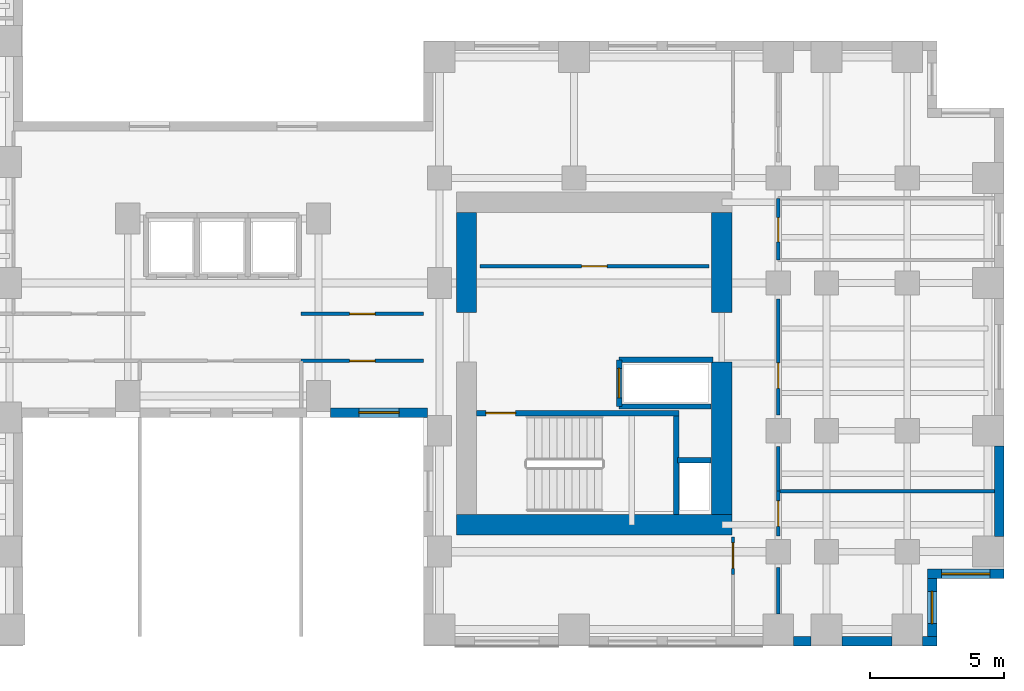
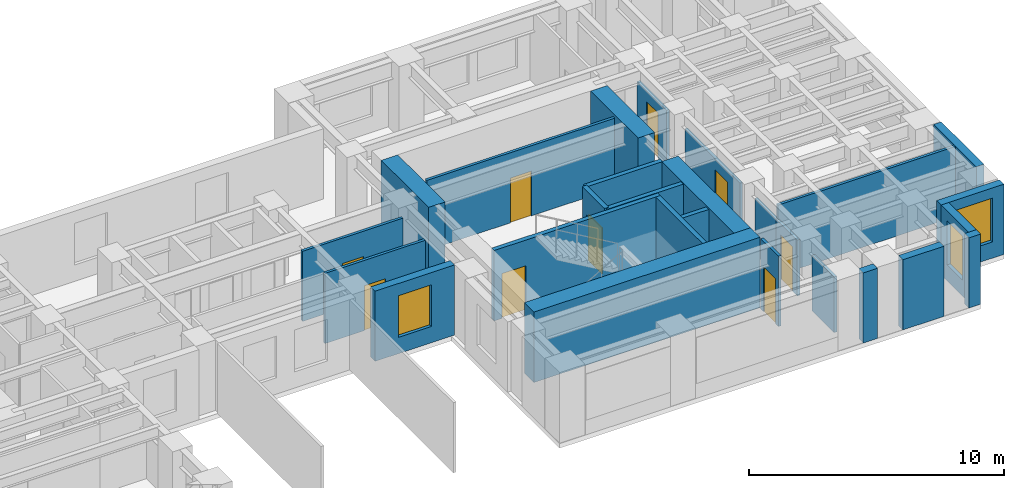
# One storey, part 7 of 11: 27 walls, 9 doors, 3 windows, 12 openings.
"""IFC4 building model written with IfcOpenShell, lengths in metres."""

from ifc_helpers import new_model, si_unit, direction, frame, frame_2d, origin, place, context, subcontext, project, spatial, rectangle, extrude, source, transform, mapped, material, layer, layer_set, type_object, element, fill, save


model = new_model("IFC4")

# Units and contexts
model_context = context("Model", 3, precision=1e-05, world=origin(), true_north=direction((0.0, 1.0)))
body_context = subcontext(model_context, "Body", "Model", "MODEL_VIEW")
ifc_project = project(units=[si_unit("LENGTHUNIT", "METRE"), si_unit("AREAUNIT", "SQUARE_METRE"), si_unit("VOLUMEUNIT", "CUBIC_METRE"), si_unit("PLANEANGLEUNIT", "RADIAN"), si_unit("MASSUNIT", "GRAM", prefix="KILO")], contexts=[model_context])

# Site, building, storey
site_placement = place(None, origin())
site = spatial("IfcSite", under=ifc_project, at=site_placement, CompositionType="ELEMENT")
building_placement = place(site_placement, origin())
building = spatial("IfcBuilding", under=site, at=building_placement, Name="Kharzan Plaza Tower", CompositionType="ELEMENT")
storey_placement = place(building_placement, frame((0.0, 0.0, 113.39990234375)))
storey = spatial("IfcBuildingStorey", under=building, at=storey_placement, Name="L30", CompositionType="ELEMENT", Elevation=113.39990234375)

# Wall, opening, window
ifc_material_1 = material(Name="Concrete C40/50", Category="concrete")
ifc_layer_1 = layer(ifc_material_1, 0.35009765625)
ifc_layer_set_1 = layer_set([ifc_layer_1], Name="Concrete C40/50")
wall_type_1 = type_object("IfcWallType", Name="WL-EXT-MAS-Z2", PredefinedType="SOLIDWALL", material=ifc_layer_set_1)
wall_1_placement = place(storey_placement, frame((30.947998046875, 8.675048828125, 0.0), z_axis=(0.0, 0.0, 1.0), x_axis=(1.0, 0.0, 0.0)))
wall_1 = element("IfcWall", 1, at=wall_1_placement, inside=storey, type_object=wall_type_1, Name="L30 Masonry-Frame Exterior Wall 36", PredefinedType="SOLIDWALL", context=body_context, shape_type="SweptSolid", body=[
    extrude(rectangle(XDim=3.60400390625, YDim=0.35009765625, at=frame_2d((1.802001953125, 0.0))), origin(), (0.0, 0.0, 1.0), 3.364990234375),
])
opening_1_placement = place(wall_1_placement, frame((1.052001953125, 0.0, 0.780029296875)))
opening_1 = element("IfcOpeningElement", 2, at=opening_1_placement, cuts=wall_1, Name="Opening W5", PredefinedType="OPENING", context=body_context, shape_type="SweptSolid", body=[
    extrude(rectangle(XDim=1.5, YDim=2.0, at=frame_2d((0.75, 1.0))), frame((0.0, 0.18505859375, 0.0), z_axis=(0.0, -1.0, 0.0), x_axis=(1.0, 0.0, 0.0)), (0.0, 0.0, 1.0), 0.3701171875),
])
ifc_material_2 = material(Name="Low-E Double Glazing", Category="glass")
window_type_1 = type_object("IfcWindowType", Name="WN-SLT-1500x2000", PartitioningType="SINGLE_PANEL", PredefinedType="WINDOW", material=ifc_material_2)
shared_shape_1 = source(origin(), body_context, "Body", "SweptSolid", [
    extrude(rectangle(XDim=1.5, YDim=2.0, at=frame_2d((0.75, 1.0))), frame((0.0, 0.030029296875, 0.0), z_axis=(0.0, -1.0, 0.0), x_axis=(1.0, 0.0, 0.0)), (0.0, 0.0, 1.0), 0.06005859375),
])
window_1_placement = place(opening_1_placement, origin())
window_1 = element("IfcWindow", 3, at=window_1_placement, inside=storey, type_object=window_type_1, Name="L30 Recessed Solar-Control Window 36-1", OverallHeight=2.0, OverallWidth=1.5, PartitioningType="SINGLE_PANEL", PredefinedType="WINDOW", context=body_context, shape_type="MappedRepresentation", body=[
    mapped(shared_shape_1, transform((0.0, 0.0, 0.0), x_axis=(1.0, 0.0, 0.0), y_axis=(0.0, 1.0, 0.0), z_axis=(0.0, 0.0, 1.0))),
])
fill(opening_1, window_1)

wall_2_placement = place(storey_placement, frame((53.324951171875, 0.347900390625, 0.0), z_axis=(0.0, 0.0, 1.0), x_axis=(0.0, 1.0, 0.0)))
wall_2 = element("IfcWall", 4, at=wall_2_placement, inside=storey, type_object=wall_type_1, Name="L30 Masonry-Frame Exterior Wall 44", PredefinedType="SOLIDWALL", context=body_context, shape_type="SweptSolid", body=[
    extrude(rectangle(XDim=2.154052734375, YDim=0.35009765625, at=frame_2d((1.0771484375, 0.0))), origin(), (0.0, 0.0, 1.0), 3.364990234375),
])
opening_2_placement = place(wall_2_placement, frame((0.47705078125, 0.0, 0.780029296875)))
opening_2 = element("IfcOpeningElement", 5, at=opening_2_placement, cuts=wall_2, Name="Opening W3", PredefinedType="OPENING", context=body_context, shape_type="SweptSolid", body=[
    extrude(rectangle(XDim=1.199951171875, YDim=2.10009765625, at=frame_2d((0.60009765625, 1.050048828125))), frame((0.0, 0.18505859375, 0.0), z_axis=(0.0, -1.0, 0.0), x_axis=(1.0, 0.0, 0.0)), (0.0, 0.0, 1.0), 0.3701171875),
])
window_type_2 = type_object("IfcWindowType", Name="WN-REC-1200x2100", PartitioningType="SINGLE_PANEL", PredefinedType="WINDOW", material=ifc_material_2)
shared_shape_2 = source(origin(), body_context, "Body", "SweptSolid", [
    extrude(rectangle(XDim=1.199951171875, YDim=2.10009765625, at=frame_2d((0.60009765625, 1.050048828125))), frame((0.0, 0.030029296875, 0.0), z_axis=(0.0, -1.0, 0.0), x_axis=(1.0, 0.0, 0.0)), (0.0, 0.0, 1.0), 0.06005859375),
])
window_2_placement = place(opening_2_placement, origin())
window_2 = element("IfcWindow", 6, at=window_2_placement, inside=storey, type_object=window_type_2, Name="L30 Recessed Solar-Control Window 44-1", OverallHeight=2.10009765625, OverallWidth=1.199951171875, PartitioningType="SINGLE_PANEL", PredefinedType="WINDOW", context=body_context, shape_type="MappedRepresentation", body=[
    mapped(shared_shape_2, transform((0.0, 0.0, 0.0), x_axis=(1.0, 0.0, 0.0), y_axis=(0.0, 1.0, 0.0), z_axis=(0.0, 0.0, 1.0))),
])
fill(opening_2, window_2)

wall_3_placement = place(storey_placement, frame((53.14990234375, 2.675048828125, 0.0), z_axis=(0.0, 0.0, 1.0), x_axis=(1.0, 0.0, 0.0)))
wall_3 = element("IfcWall", 7, at=wall_3_placement, inside=storey, type_object=wall_type_1, Name="L30 Masonry-Frame Exterior Wall 45", PredefinedType="SOLIDWALL", context=body_context, shape_type="SweptSolid", body=[
    extrude(rectangle(XDim=2.85009765625, YDim=0.35009765625, at=frame_2d((1.425048828125, 0.0))), origin(), (0.0, 0.0, 1.0), 3.364990234375),
])
opening_3_placement = place(wall_3_placement, frame((0.52490234375, 0.0, 0.780029296875)))
opening_3 = element("IfcOpeningElement", 8, at=opening_3_placement, cuts=wall_3, Name="Opening W1", PredefinedType="OPENING", context=body_context, shape_type="SweptSolid", body=[
    extrude(rectangle(XDim=1.800048828125, YDim=2.10009765625, at=frame_2d((0.89990234375, 1.050048828125))), frame((0.0, 0.18505859375, 0.0), z_axis=(0.0, -1.0, 0.0), x_axis=(1.0, 0.0, 0.0)), (0.0, 0.0, 1.0), 0.3701171875),
])
window_type_3 = type_object("IfcWindowType", Name="WN-REC-1800x2100", PartitioningType="SINGLE_PANEL", PredefinedType="WINDOW", material=ifc_material_2)
shared_shape_3 = source(origin(), body_context, "Body", "SweptSolid", [
    extrude(rectangle(XDim=1.800048828125, YDim=2.10009765625, at=frame_2d((0.89990234375, 1.050048828125))), frame((0.0, 0.030029296875, 0.0), z_axis=(0.0, -1.0, 0.0), x_axis=(1.0, 0.0, 0.0)), (0.0, 0.0, 1.0), 0.06005859375),
])
window_3_placement = place(opening_3_placement, origin())
window_3 = element("IfcWindow", 9, at=window_3_placement, inside=storey, type_object=window_type_3, Name="L30 Recessed Solar-Control Window 45-1", OverallHeight=2.10009765625, OverallWidth=1.800048828125, PartitioningType="SINGLE_PANEL", PredefinedType="WINDOW", context=body_context, shape_type="MappedRepresentation", body=[
    mapped(shared_shape_3, transform((0.0, 0.0, 0.0), x_axis=(1.0, 0.0, 0.0), y_axis=(0.0, 1.0, 0.0), z_axis=(0.0, 0.0, 1.0))),
])
fill(opening_3, window_3)

# Wall, opening, door
ifc_material_3 = material(Name="Fire-Rated Gypsum Board Partition", Category="gypsum")
ifc_layer_2 = layer(ifc_material_3, 0.125)
ifc_layer_set_2 = layer_set([ifc_layer_2], Name="Fire-Rated Gypsum Board Partition")
wall_type_2 = type_object("IfcWallType", Name="WL-INT-PART-125", PredefinedType="PARTITIONING", material=ifc_layer_set_2)
wall_4_placement = place(storey_placement, frame((36.5, 14.1201171875, 0.0), z_axis=(0.0, 0.0, 1.0), x_axis=(1.0, 0.0, 0.0)))
wall_4 = element("IfcWall", 10, at=wall_4_placement, inside=storey, type_object=wall_type_2, Name="L30 Interior Partition CB-RBLS1", PredefinedType="PARTITIONING", context=body_context, shape_type="SweptSolid", body=[
    extrude(rectangle(XDim=8.52001953125, YDim=0.125, at=frame_2d((4.260009765625, 0.0))), origin(), (0.0, 0.0, 1.0), 3.364990234375),
])
opening_4_placement = place(wall_4_placement, frame((3.784912109375, 0.0, 0.0)))
opening_4 = element("IfcOpeningElement", 11, at=opening_4_placement, cuts=wall_4, Name="Opening OD1", PredefinedType="OPENING", context=body_context, shape_type="SweptSolid", body=[
    extrude(rectangle(XDim=0.949951171875, YDim=2.14990234375, at=frame_2d((0.47509765625, 1.074951171875))), frame((0.0, 0.072509765625, 0.0), z_axis=(0.0, -1.0, 0.0), x_axis=(1.0, 0.0, 0.0)), (0.0, 0.0, 1.0), 0.14501953125),
])
ifc_material_4 = material(Name="Acoustic Solid-Core Stained Oak", Category="timber")
door_type_1 = type_object("IfcDoorType", Name="DR-OFF-SINGLE", OperationType="NOTDEFINED", PredefinedType="DOOR", material=ifc_material_4)
shared_shape_4 = source(origin(), body_context, "Body", "SweptSolid", [
    extrude(rectangle(XDim=0.949951171875, YDim=2.14990234375, at=frame_2d((0.47509765625, 1.074951171875))), frame((0.0, 0.02490234375, 0.0), z_axis=(0.0, -1.0, 0.0), x_axis=(1.0, 0.0, 0.0)), (0.0, 0.0, 1.0), 0.050048828125),
])
door_1_placement = place(opening_4_placement, origin())
door_1 = element("IfcDoor", 12, at=door_1_placement, inside=storey, type_object=door_type_1, Name="L30 Mail Room Door", OperationType="SINGLE_SWING_LEFT", OverallHeight=2.14990234375, OverallWidth=0.949951171875, PredefinedType="DOOR", context=body_context, shape_type="MappedRepresentation", body=[
    mapped(shared_shape_4, transform((0.0, 0.0, 0.0), x_axis=(1.0, 0.0, 0.0), y_axis=(0.0, 1.0, 0.0), z_axis=(0.0, 0.0, 1.0))),
])
fill(opening_4, door_1)

wall_5_placement = place(storey_placement, frame((47.60009765625, 4.090087890625, 0.0), z_axis=(0.0, 0.0, 1.0), x_axis=(0.0, 1.0, 0.0)))
wall_5 = element("IfcWall", 13, at=wall_5_placement, inside=storey, type_object=wall_type_2, Name="L30 Interior Partition SH-B3W0", PredefinedType="PARTITIONING", context=body_context, shape_type="SweptSolid", body=[
    extrude(rectangle(XDim=1.659912109375, YDim=0.125, at=frame_2d((0.830078125, 0.0))), origin(), (0.0, 0.0, 1.0), 2.677001953125),
])
opening_5_placement = place(wall_5_placement, frame((0.35498046875, 0.0, 0.0)))
opening_5 = element("IfcOpeningElement", 14, at=opening_5_placement, cuts=wall_5, Name="Opening OD1", PredefinedType="OPENING", context=body_context, shape_type="SweptSolid", body=[
    extrude(rectangle(XDim=0.949951171875, YDim=2.14990234375, at=frame_2d((0.47509765625, 1.074951171875))), frame((0.0, 0.072509765625, 0.0), z_axis=(0.0, -1.0, 0.0), x_axis=(1.0, 0.0, 0.0)), (0.0, 0.0, 1.0), 0.14501953125),
])
door_2_placement = place(opening_5_placement, origin())
door_2 = element("IfcDoor", 15, at=door_2_placement, inside=storey, type_object=door_type_1, Name="L30 Wing B Office 1 Door", OperationType="SINGLE_SWING_RIGHT", OverallHeight=2.14990234375, OverallWidth=0.949951171875, PredefinedType="DOOR", context=body_context, shape_type="MappedRepresentation", body=[
    mapped(shared_shape_4, transform((0.0, 0.0, 0.0), x_axis=(1.0, 0.0, 0.0), y_axis=(0.0, 1.0, 0.0), z_axis=(0.0, 0.0, 1.0))),
])
fill(opening_5, door_2)

wall_6_placement = place(storey_placement, frame((47.60009765625, 8.590087890625, 0.0), z_axis=(0.0, 0.0, 1.0), x_axis=(0.0, 1.0, 0.0)))
wall_6 = element("IfcWall", 16, at=wall_6_placement, inside=storey, type_object=wall_type_2, Name="L30 Interior Partition SH-B3W1-S2", PredefinedType="PARTITIONING", context=body_context, shape_type="SweptSolid", body=[
    extrude(rectangle(XDim=4.31982421875, YDim=0.125, at=frame_2d((2.159912109375, 0.0))), origin(), (0.0, 0.0, 1.0), 2.677001953125),
])
opening_6_placement = place(wall_6_placement, frame((0.985107421875, 0.0, 0.0)))
opening_6 = element("IfcOpeningElement", 17, at=opening_6_placement, cuts=wall_6, Name="Opening OD1", PredefinedType="OPENING", context=body_context, shape_type="SweptSolid", body=[
    extrude(rectangle(XDim=0.949951171875, YDim=2.14990234375, at=frame_2d((0.47509765625, 1.074951171875))), frame((0.0, 0.072509765625, 0.0), z_axis=(0.0, -1.0, 0.0), x_axis=(1.0, 0.0, 0.0)), (0.0, 0.0, 1.0), 0.14501953125),
])
door_3_placement = place(opening_6_placement, origin())
door_3 = element("IfcDoor", 18, at=door_3_placement, inside=storey, type_object=door_type_1, Name="L30 Wing B Office 2 Door", OperationType="SINGLE_SWING_RIGHT", OverallHeight=2.14990234375, OverallWidth=0.949951171875, PredefinedType="DOOR", context=body_context, shape_type="MappedRepresentation", body=[
    mapped(shared_shape_4, transform((0.0, 0.0, 0.0), x_axis=(1.0, 0.0, 0.0), y_axis=(0.0, 1.0, 0.0), z_axis=(0.0, 0.0, 1.0))),
])
fill(opening_6, door_3)

wall_7_placement = place(storey_placement, frame((47.60009765625, 14.35009765625, 0.0), z_axis=(0.0, 0.0, 1.0), x_axis=(0.0, 1.0, 0.0)))
wall_7 = element("IfcWall", 19, at=wall_7_placement, inside=storey, type_object=wall_type_2, Name="L30 Interior Partition SH-B3WC", PredefinedType="PARTITIONING", context=body_context, shape_type="SweptSolid", body=[
    extrude(rectangle(XDim=2.2998046875, YDim=0.125, at=frame_2d((1.14990234375, 0.0))), origin(), (0.0, 0.0, 1.0), 2.677001953125),
])
opening_7_placement = place(wall_7_placement, frame((0.675048828125, 0.0, 0.0)))
opening_7 = element("IfcOpeningElement", 20, at=opening_7_placement, cuts=wall_7, Name="Opening WD1", PredefinedType="OPENING", context=body_context, shape_type="SweptSolid", body=[
    extrude(rectangle(XDim=0.89990234375, YDim=2.14990234375, at=frame_2d((0.449951171875, 1.074951171875))), frame((0.0, 0.072509765625, 0.0), z_axis=(0.0, -1.0, 0.0), x_axis=(1.0, 0.0, 0.0)), (0.0, 0.0, 1.0), 0.14501953125),
])
ifc_material_5 = material(Name="Moisture-Resistant Fire-Rated Laminate", Category="timber")
door_type_2 = type_object("IfcDoorType", Name="DR-WC-900", OperationType="NOTDEFINED", PredefinedType="DOOR", material=ifc_material_5)
shared_shape_5 = source(origin(), body_context, "Body", "SweptSolid", [
    extrude(rectangle(XDim=0.89990234375, YDim=2.14990234375, at=frame_2d((0.449951171875, 1.074951171875))), frame((0.0, 0.02490234375, 0.0), z_axis=(0.0, -1.0, 0.0), x_axis=(1.0, 0.0, 0.0)), (0.0, 0.0, 1.0), 0.050048828125),
])
door_4_placement = place(opening_7_placement, origin())
door_4 = element("IfcDoor", 21, at=door_4_placement, inside=storey, type_object=door_type_2, Name="L30 Wing B Washroom Door", OperationType="SINGLE_SWING_RIGHT", OverallHeight=2.14990234375, OverallWidth=0.89990234375, PredefinedType="DOOR", context=body_context, shape_type="MappedRepresentation", body=[
    mapped(shared_shape_5, transform((0.0, 0.0, 0.0), x_axis=(1.0, 0.0, 0.0), y_axis=(0.0, 1.0, 0.0), z_axis=(0.0, 0.0, 1.0))),
])
fill(opening_7, door_4)

wall_8_placement = place(storey_placement, frame((45.919921875, 2.64990234375, 0.0), z_axis=(0.0, 0.0, 1.0), x_axis=(0.0, 1.0, 0.0)))
wall_8 = element("IfcWall", 22, at=wall_8_placement, inside=storey, type_object=wall_type_2, Name="L30 Interior Partition SH-RBSE", PredefinedType="PARTITIONING", context=body_context, shape_type="SweptSolid", body=[
    extrude(rectangle(XDim=1.400146484375, YDim=0.125, at=frame_2d((0.7001953125, 0.0))), origin(), (0.0, 0.0, 1.0), 3.364990234375),
])
opening_8_placement = place(wall_8_placement, frame((0.22509765625, 0.0, 0.0)))
opening_8 = element("IfcOpeningElement", 23, at=opening_8_placement, cuts=wall_8, Name="Opening OD1", PredefinedType="OPENING", context=body_context, shape_type="SweptSolid", body=[
    extrude(rectangle(XDim=0.949951171875, YDim=2.14990234375, at=frame_2d((0.47509765625, 1.074951171875))), frame((0.0, 0.072509765625, 0.0), z_axis=(0.0, -1.0, 0.0), x_axis=(1.0, 0.0, 0.0)), (0.0, 0.0, 1.0), 0.14501953125),
])
door_5_placement = place(opening_8_placement, origin())
door_5 = element("IfcDoor", 24, at=door_5_placement, inside=storey, type_object=door_type_1, Name="L30 South-East Corner Office Door", OperationType="SINGLE_SWING_RIGHT", OverallHeight=2.14990234375, OverallWidth=0.949951171875, PredefinedType="DOOR", context=body_context, shape_type="MappedRepresentation", body=[
    mapped(shared_shape_4, transform((0.0, 0.0, 0.0), x_axis=(1.0, 0.0, 0.0), y_axis=(0.0, 1.0, 0.0), z_axis=(0.0, 0.0, 1.0))),
])
fill(opening_8, door_5)

wall_9_placement = place(storey_placement, frame((29.85009765625, 12.35009765625, 0.0), z_axis=(0.0, 0.0, 1.0), x_axis=(1.0, 0.0, 0.0)))
wall_9 = element("IfcWall", 25, at=wall_9_placement, inside=storey, type_object=wall_type_2, Name="L30 Interior Partition SH-SPNE1", PredefinedType="PARTITIONING", context=body_context, shape_type="SweptSolid", body=[
    extrude(rectangle(XDim=4.5498046875, YDim=0.125, at=frame_2d((2.27490234375, 0.0))), origin(), (0.0, 0.0, 1.0), 3.364990234375),
])
opening_9_placement = place(wall_9_placement, frame((1.800048828125, 0.0, 0.0)))
opening_9 = element("IfcOpeningElement", 26, at=opening_9_placement, cuts=wall_9, Name="Opening OD1", PredefinedType="OPENING", context=body_context, shape_type="SweptSolid", body=[
    extrude(rectangle(XDim=0.949951171875, YDim=2.14990234375, at=frame_2d((0.47509765625, 1.074951171875))), frame((0.0, 0.072509765625, 0.0), z_axis=(0.0, -1.0, 0.0), x_axis=(1.0, 0.0, 0.0)), (0.0, 0.0, 1.0), 0.14501953125),
])
door_6_placement = place(opening_9_placement, origin())
door_6 = element("IfcDoor", 27, at=door_6_placement, inside=storey, type_object=door_type_1, Name="L30 North-East Spine Door", OperationType="SINGLE_SWING_LEFT", OverallHeight=2.14990234375, OverallWidth=0.949951171875, PredefinedType="DOOR", context=body_context, shape_type="MappedRepresentation", body=[
    mapped(shared_shape_4, transform((0.0, 0.0, 0.0), x_axis=(1.0, 0.0, 0.0), y_axis=(0.0, 1.0, 0.0), z_axis=(0.0, 0.0, 1.0))),
])
fill(opening_9, door_6)

wall_10_placement = place(storey_placement, frame((29.85009765625, 10.60009765625, 0.0), z_axis=(0.0, 0.0, 1.0), x_axis=(1.0, 0.0, 0.0)))
wall_10 = element("IfcWall", 28, at=wall_10_placement, inside=storey, type_object=wall_type_2, Name="L30 Interior Partition SH-SPS3", PredefinedType="PARTITIONING", context=body_context, shape_type="SweptSolid", body=[
    extrude(rectangle(XDim=4.5498046875, YDim=0.125, at=frame_2d((2.27490234375, 0.0))), origin(), (0.0, 0.0, 1.0), 3.364990234375),
])
opening_10_placement = place(wall_10_placement, frame((1.800048828125, 0.0, 0.0)))
opening_10 = element("IfcOpeningElement", 29, at=opening_10_placement, cuts=wall_10, Name="Opening OD1", PredefinedType="OPENING", context=body_context, shape_type="SweptSolid", body=[
    extrude(rectangle(XDim=0.949951171875, YDim=2.14990234375, at=frame_2d((0.47509765625, 1.074951171875))), frame((0.0, 0.072509765625, 0.0), z_axis=(0.0, -1.0, 0.0), x_axis=(1.0, 0.0, 0.0)), (0.0, 0.0, 1.0), 0.14501953125),
])
door_7_placement = place(opening_10_placement, origin())
door_7 = element("IfcDoor", 30, at=door_7_placement, inside=storey, type_object=door_type_1, Name="L30 Spine Studio 3 Door", OperationType="SINGLE_SWING_LEFT", OverallHeight=2.14990234375, OverallWidth=0.949951171875, PredefinedType="DOOR", context=body_context, shape_type="MappedRepresentation", body=[
    mapped(shared_shape_4, transform((0.0, 0.0, 0.0), x_axis=(1.0, 0.0, 0.0), y_axis=(0.0, 1.0, 0.0), z_axis=(0.0, 0.0, 1.0))),
])
fill(opening_10, door_7)

ifc_layer_3 = layer(ifc_material_1, 0.199951171875)
ifc_layer_set_3 = layer_set([ifc_layer_3], Name="Concrete C40/50")
wall_type_3 = type_object("IfcWallType", Name="WL-INT-SHAFT-200", PredefinedType="PARTITIONING", material=ifc_layer_set_3)
wall_11_placement = place(storey_placement, frame((41.679931640625, 8.89990234375, 0.0), z_axis=(0.0, 0.0, 1.0), x_axis=(0.0, 1.0, 0.0)))
wall_11 = element("IfcWall", 31, at=wall_11_placement, inside=storey, type_object=wall_type_3, Name="L30 Interior Partition SHF-SVL-2-W", PredefinedType="PARTITIONING", context=body_context, shape_type="SweptSolid", body=[
    extrude(rectangle(XDim=1.739990234375, YDim=0.199951171875, at=frame_2d((0.8701171875, 0.0))), origin(), (0.0, 0.0, 1.0), 3.364990234375),
])
opening_11_placement = place(wall_11_placement, frame((0.320068359375, 0.0, 0.0)))
opening_11 = element("IfcOpeningElement", 32, at=opening_11_placement, cuts=wall_11, Name="Opening LD", PredefinedType="OPENING", context=body_context, shape_type="SweptSolid", body=[
    extrude(rectangle(XDim=1.10009765625, YDim=2.199951171875, at=frame_2d((0.550048828125, 1.10009765625))), frame((0.0, 0.10986328125, 0.0), z_axis=(0.0, -1.0, 0.0), x_axis=(1.0, 0.0, 0.0)), (0.0, 0.0, 1.0), 0.219970703125),
])
ifc_material_6 = material(Name="Brushed Stainless Steel", Category="steel")
door_type_3 = type_object("IfcDoorType", Name="DR-LIFT-SLIDE", OperationType="SLIDING_TO_LEFT", PredefinedType="DOOR", material=ifc_material_6)
shared_shape_6 = source(origin(), body_context, "Body", "SweptSolid", [
    extrude(rectangle(XDim=1.10009765625, YDim=2.199951171875, at=frame_2d((0.550048828125, 1.10009765625))), frame((0.0, 0.02490234375, 0.0), z_axis=(0.0, -1.0, 0.0), x_axis=(1.0, 0.0, 0.0)), (0.0, 0.0, 1.0), 0.050048828125),
])
door_8_placement = place(opening_11_placement, origin())
door_8 = element("IfcDoor", 33, at=door_8_placement, inside=storey, type_object=door_type_3, Name="L30 Service Lift SVL-2 Sliding Landing Door", OperationType="SLIDING_TO_LEFT", OverallHeight=2.199951171875, OverallWidth=1.10009765625, PredefinedType="DOOR", context=body_context, shape_type="MappedRepresentation", body=[
    mapped(shared_shape_6, transform((0.0, 0.0, 0.0), x_axis=(1.0, 0.0, 0.0), y_axis=(0.0, 1.0, 0.0), z_axis=(0.0, 0.0, 1.0))),
])
fill(opening_11, door_8)

ifc_material_7 = material(Name="Concrete C50/60", Category="concrete")
ifc_layer_4 = layer(ifc_material_7, 0.199951171875)
ifc_layer_set_4 = layer_set([ifc_layer_4], Name="Concrete C50/60")
wall_type_4 = type_object("IfcWallType", Name="WL-SHAFT-RC200", PredefinedType="SHEAR", material=ifc_layer_set_4)
wall_12_placement = place(storey_placement, frame((36.376953125, 8.655029296875, 0.0), z_axis=(0.0, 0.0, 1.0), x_axis=(1.0, 0.0, 0.0)))
wall_12 = element("IfcWall", 34, at=wall_12_placement, inside=storey, type_object=wall_type_4, Name="L30 Stair ST-3 North RC Shaft Wall", PredefinedType="SHEAR", context=body_context, shape_type="SweptSolid", body=[
    extrude(rectangle(XDim=7.528076171875, YDim=0.199951171875, at=frame_2d((3.76416015625, 0.0))), origin(), (0.0, 0.0, 1.0), 3.380126953125),
])
opening_12_placement = place(wall_12_placement, frame((0.35009765625, 0.0, 0.0)))
opening_12 = element("IfcOpeningElement", 35, at=opening_12_placement, cuts=wall_12, Name="Opening SD1", PredefinedType="OPENING", context=body_context, shape_type="SweptSolid", body=[
    extrude(rectangle(XDim=1.10009765625, YDim=2.14990234375, at=frame_2d((0.550048828125, 1.074951171875))), frame((0.0, 0.10986328125, 0.0), z_axis=(0.0, -1.0, 0.0), x_axis=(1.0, 0.0, 0.0)), (0.0, 0.0, 1.0), 0.219970703125),
])
ifc_material_8 = material(Name="Fire-Rated Hollow Galvanized Steel", Category="steel")
door_type_4 = type_object("IfcDoorType", Name="DR-STAIR-FD120", OperationType="NOTDEFINED", PredefinedType="DOOR", material=ifc_material_8)
shared_shape_7 = source(origin(), body_context, "Body", "SweptSolid", [
    extrude(rectangle(XDim=1.10009765625, YDim=2.14990234375, at=frame_2d((0.550048828125, 1.074951171875))), frame((0.0, 0.02490234375, 0.0), z_axis=(0.0, -1.0, 0.0), x_axis=(1.0, 0.0, 0.0)), (0.0, 0.0, 1.0), 0.050048828125),
])
door_9_placement = place(opening_12_placement, origin())
door_9 = element("IfcDoor", 36, at=door_9_placement, inside=storey, type_object=door_type_4, Name="L30 Stair ST-3 Fire Exit Door", OperationType="SINGLE_SWING_RIGHT", OverallHeight=2.14990234375, OverallWidth=1.10009765625, PredefinedType="DOOR", context=body_context, shape_type="MappedRepresentation", body=[
    mapped(shared_shape_7, transform((0.0, 0.0, 0.0), x_axis=(1.0, 0.0, 0.0), y_axis=(0.0, 1.0, 0.0), z_axis=(0.0, 0.0, 1.0))),
])
fill(opening_12, door_9)

# Walls
shared_shape_8 = source(origin(), body_context, "Body", "SweptSolid", [
    extrude(rectangle(XDim=3.489990234375, YDim=0.199951171875, at=frame_2d((1.7451171875, 0.0))), origin(), (0.0, 0.0, 1.0), 3.364990234375),
])
wall_13_placement = place(storey_placement, frame((41.679931640625, 10.639892578125, 0.0), z_axis=(0.0, 0.0, 1.0), x_axis=(1.0, 0.0, 0.0)))
element("IfcWall", 37, at=wall_13_placement, inside=storey, type_object=wall_type_3, Name="L30 Interior Partition SHF-SVL-2-N", PredefinedType="PARTITIONING", context=body_context, shape_type="MappedRepresentation", body=[
    mapped(shared_shape_8, transform((0.0, 0.0, 0.0), x_axis=(1.0, 0.0, 0.0), y_axis=(0.0, 1.0, 0.0), z_axis=(0.0, 0.0, 1.0))),
])
ifc_material_9 = material(Name="Concrete C60/75", Category="concrete")
ifc_layer_5 = layer(ifc_material_9, 0.75)
ifc_layer_set_5 = layer_set([ifc_layer_5], Name="Concrete C60/75")
wall_type_5 = type_object("IfcWallType", Name="WL-CORE-750", PredefinedType="SHEAR", material=ifc_layer_set_5)
shared_shape_9 = source(origin(), body_context, "Body", "SweptSolid", [
    extrude(rectangle(XDim=5.675048828125, YDim=0.75, at=frame_2d((2.83740234375, 0.0))), origin(), (0.0, 0.0, 1.0), 3.380126953125),
])
wall_14_placement = place(storey_placement, frame((45.5, 4.875, 0.0), z_axis=(0.0, 0.0, 1.0), x_axis=(0.0, 1.0, 0.0)))
element("IfcWall", 38, at=wall_14_placement, inside=storey, type_object=wall_type_5, Name="L30 CORE-B east shear pier 1", PredefinedType="SHEAR", context=body_context, shape_type="MappedRepresentation", body=[
    mapped(shared_shape_9, transform((0.0, 0.0, 0.0), x_axis=(1.0, 0.0, 0.0), y_axis=(0.0, 1.0, 0.0), z_axis=(0.0, 0.0, 1.0))),
])
shared_shape_10 = source(origin(), body_context, "Body", "SweptSolid", [
    extrude(rectangle(XDim=3.72509765625, YDim=0.75, at=frame_2d((1.862548828125, 0.0))), origin(), (0.0, 0.0, 1.0), 3.380126953125),
])
for number, where, z_axis, x_axis, name in (
    (39, (45.5, 12.39990234375, 0.0), (0.0, 0.0, 1.0), (0.0, 1.0, 0.0), "L30 CORE-B east shear pier 2"),
    (40, (36.0, 12.39990234375, 0.0), (0.0, 0.0, 1.0), (0.0, 1.0, 0.0), "L30 CORE-B west shear pier 2"),
):
    element("IfcWall", number, at=place(storey_placement, frame(where, z_axis=z_axis, x_axis=x_axis)), inside=storey, type_object=wall_type_5, Name=name, PredefinedType="SHEAR", context=body_context, shape_type="MappedRepresentation", body=[
        mapped(shared_shape_10, transform((0.0, 0.0, 0.0), x_axis=(1.0, 0.0, 0.0), y_axis=(0.0, 1.0, 0.0), z_axis=(0.0, 0.0, 1.0))),
    ])
shared_shape_11 = source(origin(), body_context, "Body", "SweptSolid", [
    extrude(rectangle(XDim=10.25, YDim=0.75, at=frame_2d((5.125, 0.0))), origin(), (0.0, 0.0, 1.0), 3.380126953125),
])
wall_15_placement = place(storey_placement, frame((35.625, 4.5, 0.0), z_axis=(0.0, 0.0, 1.0), x_axis=(1.0, 0.0, 0.0)))
element("IfcWall", 41, at=wall_15_placement, inside=storey, type_object=wall_type_5, Name="L30 CORE-B south RC shear wall", PredefinedType="SHEAR", context=body_context, shape_type="MappedRepresentation", body=[
    mapped(shared_shape_11, transform((0.0, 0.0, 0.0), x_axis=(1.0, 0.0, 0.0), y_axis=(0.0, 1.0, 0.0), z_axis=(0.0, 0.0, 1.0))),
])
shared_shape_12 = source(origin(), body_context, "Body", "SweptSolid", [
    extrude(rectangle(XDim=0.65380859375, YDim=0.35009765625, at=frame_2d((0.326904296875, 0.0))), origin(), (0.0, 0.0, 1.0), 3.364990234375),
])
wall_16_placement = place(storey_placement, frame((48.173095703125, 0.175048828125, 0.0), z_axis=(0.0, 0.0, 1.0), x_axis=(1.0, 0.0, 0.0)))
element("IfcWall", 42, at=wall_16_placement, inside=storey, type_object=wall_type_1, Name="L30 Masonry-Frame Exterior Wall 41", PredefinedType="SOLIDWALL", context=body_context, shape_type="MappedRepresentation", body=[
    mapped(shared_shape_12, transform((0.0, 0.0, 0.0), x_axis=(1.0, 0.0, 0.0), y_axis=(0.0, 1.0, 0.0), z_axis=(0.0, 0.0, 1.0))),
])
shared_shape_13 = source(origin(), body_context, "Body", "SweptSolid", [
    extrude(rectangle(XDim=1.85400390625, YDim=0.35009765625, at=frame_2d((0.927001953125, 0.0))), origin(), (0.0, 0.0, 1.0), 3.364990234375),
])
wall_17_placement = place(storey_placement, frame((49.972900390625, 0.175048828125, 0.0), z_axis=(0.0, 0.0, 1.0), x_axis=(1.0, 0.0, 0.0)))
element("IfcWall", 43, at=wall_17_placement, inside=storey, type_object=wall_type_1, Name="L30 Masonry-Frame Exterior Wall 42", PredefinedType="SOLIDWALL", context=body_context, shape_type="MappedRepresentation", body=[
    mapped(shared_shape_13, transform((0.0, 0.0, 0.0), x_axis=(1.0, 0.0, 0.0), y_axis=(0.0, 1.0, 0.0), z_axis=(0.0, 0.0, 1.0))),
])
shared_shape_14 = source(origin(), body_context, "Body", "SweptSolid", [
    extrude(rectangle(XDim=0.527099609375, YDim=0.35009765625, at=frame_2d((0.263671875, 0.0))), origin(), (0.0, 0.0, 1.0), 3.364990234375),
])
wall_18_placement = place(storey_placement, frame((52.972900390625, 0.175048828125, 0.0), z_axis=(0.0, 0.0, 1.0), x_axis=(1.0, 0.0, 0.0)))
element("IfcWall", 44, at=wall_18_placement, inside=storey, type_object=wall_type_1, Name="L30 Masonry-Frame Exterior Wall 43", PredefinedType="SOLIDWALL", context=body_context, shape_type="MappedRepresentation", body=[
    mapped(shared_shape_14, transform((0.0, 0.0, 0.0), x_axis=(1.0, 0.0, 0.0), y_axis=(0.0, 1.0, 0.0), z_axis=(0.0, 0.0, 1.0))),
])
shared_shape_15 = source(origin(), body_context, "Body", "SweptSolid", [
    extrude(rectangle(XDim=3.35400390625, YDim=0.35009765625, at=frame_2d((1.677001953125, 0.0))), origin(), (0.0, 0.0, 1.0), 3.364990234375),
])
wall_19_placement = place(storey_placement, frame((55.824951171875, 4.072998046875, 0.0), z_axis=(0.0, 0.0, 1.0), x_axis=(0.0, 1.0, 0.0)))
element("IfcWall", 45, at=wall_19_placement, inside=storey, type_object=wall_type_1, Name="L30 Masonry-Frame Exterior Wall 46", PredefinedType="SOLIDWALL", context=body_context, shape_type="MappedRepresentation", body=[
    mapped(shared_shape_15, transform((0.0, 0.0, 0.0), x_axis=(1.0, 0.0, 0.0), y_axis=(0.0, 1.0, 0.0), z_axis=(0.0, 0.0, 1.0))),
])
shared_shape_16 = source(origin(), body_context, "Body", "SweptSolid", [
    extrude(rectangle(XDim=8.0478515625, YDim=0.125, at=frame_2d((4.02392578125, 0.0))), origin(), (0.0, 0.0, 1.0), 3.364990234375),
])
wall_20_placement = place(storey_placement, frame((47.60009765625, 5.75, 0.0), z_axis=(0.0, 0.0, 1.0), x_axis=(1.0, 0.0, 0.0)))
element("IfcWall", 46, at=wall_20_placement, inside=storey, type_object=wall_type_2, Name="L30 Interior Partition SH-B3H-57", PredefinedType="PARTITIONING", context=body_context, shape_type="MappedRepresentation", body=[
    mapped(shared_shape_16, transform((0.0, 0.0, 0.0), x_axis=(1.0, 0.0, 0.0), y_axis=(0.0, 1.0, 0.0), z_axis=(0.0, 0.0, 1.0))),
])
shared_shape_17 = source(origin(), body_context, "Body", "SweptSolid", [
    extrude(rectangle(XDim=1.719970703125, YDim=0.125, at=frame_2d((0.85986328125, 0.0))), origin(), (0.0, 0.0, 1.0), 2.677001953125),
])
wall_21_placement = place(storey_placement, frame((47.60009765625, 1.18994140625, 0.0), z_axis=(0.0, 0.0, 1.0), x_axis=(0.0, 1.0, 0.0)))
element("IfcWall", 47, at=wall_21_placement, inside=storey, type_object=wall_type_2, Name="L30 Interior Partition SH-B3W0S", PredefinedType="PARTITIONING", context=body_context, shape_type="MappedRepresentation", body=[
    mapped(shared_shape_17, transform((0.0, 0.0, 0.0), x_axis=(1.0, 0.0, 0.0), y_axis=(0.0, 1.0, 0.0), z_axis=(0.0, 0.0, 1.0))),
])
shared_shape_18 = source(origin(), body_context, "Body", "SweptSolid", [
    extrude(rectangle(XDim=1.244873046875, YDim=0.199951171875, at=frame_2d((0.62255859375, 0.0))), origin(), (0.0, 0.0, 1.0), 3.364990234375),
])
wall_22_placement = place(storey_placement, frame((43.85009765625, 6.89990234375, 0.0), z_axis=(0.0, 0.0, 1.0), x_axis=(1.0, 0.0, 0.0)))
element("IfcWall", 48, at=wall_22_placement, inside=storey, type_object=wall_type_3, Name="L30 Interior Partition CB-RSRB-N", PredefinedType="PARTITIONING", context=body_context, shape_type="MappedRepresentation", body=[
    mapped(shared_shape_18, transform((0.0, 0.0, 0.0), x_axis=(1.0, 0.0, 0.0), y_axis=(0.0, 1.0, 0.0), z_axis=(0.0, 0.0, 1.0))),
])
shared_shape_19 = source(origin(), body_context, "Body", "SweptSolid", [
    extrude(rectangle(XDim=3.4150390625, YDim=0.199951171875, at=frame_2d((1.70751953125, 0.0))), origin(), (0.0, 0.0, 1.0), 3.364990234375),
])
wall_23_placement = place(storey_placement, frame((41.679931640625, 8.89990234375, 0.0), z_axis=(0.0, 0.0, 1.0), x_axis=(1.0, 0.0, 0.0)))
element("IfcWall", 49, at=wall_23_placement, inside=storey, type_object=wall_type_3, Name="L30 Interior Partition SHF-SVL-2-S", PredefinedType="PARTITIONING", context=body_context, shape_type="MappedRepresentation", body=[
    mapped(shared_shape_19, transform((0.0, 0.0, 0.0), x_axis=(1.0, 0.0, 0.0), y_axis=(0.0, 1.0, 0.0), z_axis=(0.0, 0.0, 1.0))),
])
shared_shape_20 = source(origin(), body_context, "Body", "SweptSolid", [
    extrude(rectangle(XDim=3.677978515625, YDim=0.199951171875, at=frame_2d((1.8388671875, 0.0))), origin(), (0.0, 0.0, 1.0), 3.380126953125),
])
wall_24_placement = place(storey_placement, frame((43.804931640625, 4.876953125, 0.0), z_axis=(0.0, 0.0, 1.0), x_axis=(0.0, 1.0, 0.0)))
element("IfcWall", 50, at=wall_24_placement, inside=storey, type_object=wall_type_4, Name="L30 Stair ST-3 East RC Shaft Wall", PredefinedType="SHEAR", context=body_context, shape_type="MappedRepresentation", body=[
    mapped(shared_shape_20, transform((0.0, 0.0, 0.0), x_axis=(1.0, 0.0, 0.0), y_axis=(0.0, 1.0, 0.0), z_axis=(0.0, 0.0, 1.0))),
])
shared_shape_21 = source(origin(), body_context, "Body", "SweptSolid", [
    extrude(rectangle(XDim=1.659912109375, YDim=0.125, at=frame_2d((0.830078125, 0.0))), origin(), (0.0, 0.0, 1.0), 2.677001953125),
])
wall_25_placement = place(storey_placement, frame((47.60009765625, 5.75, 0.0), z_axis=(0.0, 0.0, 1.0), x_axis=(0.0, 1.0, 0.0)))
element("IfcWall", 51, at=wall_25_placement, inside=storey, type_object=wall_type_2, Name="L30 Interior Partition SH-B3W1-S1", PredefinedType="PARTITIONING", context=body_context, shape_type="MappedRepresentation", body=[
    mapped(shared_shape_21, transform((0.0, 0.0, 0.0), x_axis=(1.0, 0.0, 0.0), y_axis=(0.0, 1.0, 0.0), z_axis=(0.0, 0.0, 1.0))),
])

save(model, "model.ifc")
